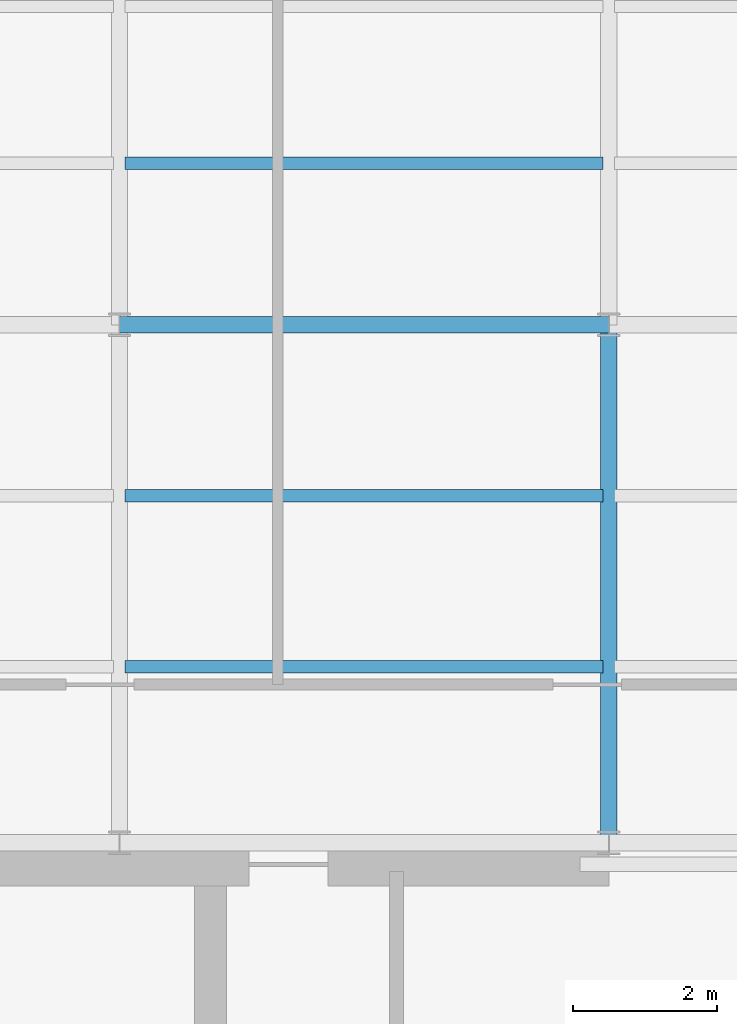
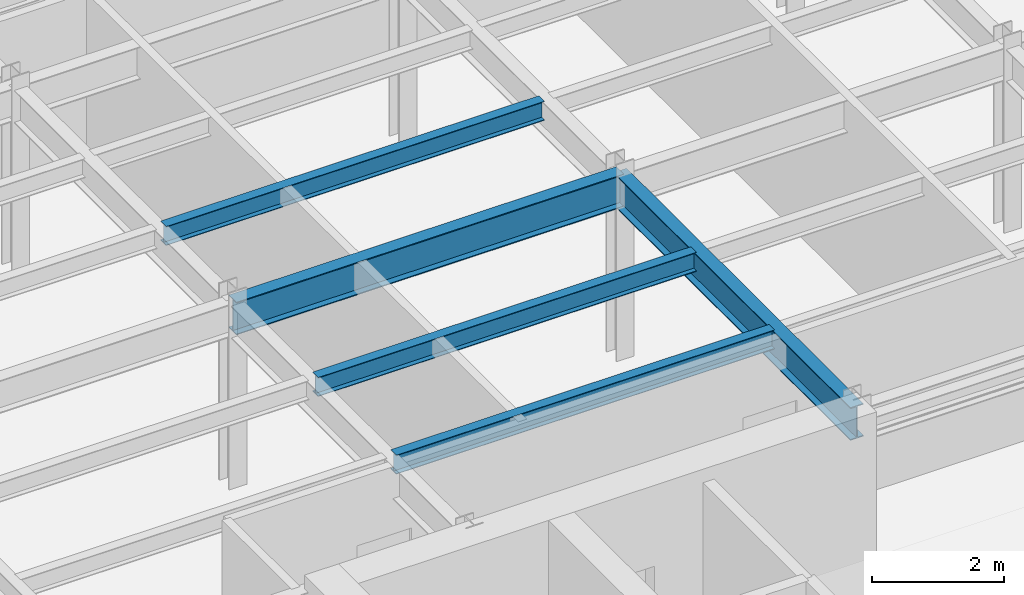
# One storey, part 6 of 22: 5 beams.
"""IFC4 building model written with IfcOpenShell, lengths in metres."""

from ifc_helpers import new_model, si_unit, derived_unit, direction, frame, origin, origin_2d, place, context, subcontext, project, spatial, i_section, extrude, source, transform, mapped, material, material_profile, profile_set, type_object, element, save


model = new_model("IFC4")

# Units and contexts
model_context = context("Model", 3, precision=1e-05, world=origin(), true_north=direction((0.0, 1.0)))
body_context = subcontext(model_context, "Body", "Model", "MODEL_VIEW")
ifc_project = project(units=[si_unit("LENGTHUNIT", "METRE"), si_unit("AREAUNIT", "SQUARE_METRE"), si_unit("VOLUMEUNIT", "CUBIC_METRE"), si_unit("PLANEANGLEUNIT", "RADIAN"), si_unit("MASSUNIT", "GRAM", prefix="KILO"), derived_unit("THERMALTRANSMITTANCEUNIT", [(si_unit("POWERUNIT", "WATT"), 1), (si_unit("LENGTHUNIT", "METRE"), -2), (si_unit("THERMODYNAMICTEMPERATUREUNIT", "KELVIN"), -1)])], contexts=[model_context])

# Site, building, storey
site_placement = place(None, origin())
site = spatial("IfcSite", under=ifc_project, at=site_placement, CompositionType="ELEMENT")
building_placement = place(site_placement, origin())
building = spatial("IfcBuilding", under=site, at=building_placement, Name="Skarnbrae Concourse Arena and Tower", CompositionType="ELEMENT")
storey_placement = place(building_placement, frame((0.0, 0.0, 225.10009765625)))
storey = spatial("IfcBuildingStorey", under=building, at=storey_placement, Name="L58", CompositionType="ELEMENT", Elevation=225.10009765625)

# Beams
ifc_material = material(Name="Steel CSA G40.21 350W", Category="steel")
ifc_material_profile_1 = material_profile(ifc_material, i_section(OverallWidth=0.22802734375, OverallDepth=0.60791015625, WebThickness=0.01123046875, FlangeThickness=0.017333984375, at=origin_2d()), Name="W610X113")
ifc_profile_set_1 = profile_set([ifc_material_profile_1], Name="Steel CSA G40.21 350W")
beam_type_1 = type_object("IfcBeamType", Name="BM-GIRD-W610X113", PredefinedType="BEAM", material=ifc_profile_set_1)
shared_shape_1 = source(origin(), body_context, "Body", "SweptSolid", [
    extrude(i_section(OverallWidth=0.22802734375, OverallDepth=0.60791015625, WebThickness=0.01123046875, FlangeThickness=0.017333984375, at=origin_2d()), origin(), (0.0, 0.0, 1.0), 6.7998046875),
])
beam_1_placement = place(storey_placement, frame((7.60009765625, 21.199951171875, 3.095947265625), z_axis=(1.0, 0.0, 0.0), x_axis=(0.0, 1.0, 0.0)))
element("IfcBeam", 1, at=beam_1_placement, inside=storey, type_object=beam_type_1, Name="L58 Primary E-W girder Y21.2-2", PredefinedType="BEAM", context=body_context, shape_type="MappedRepresentation", body=[
    mapped(shared_shape_1, transform((0.0, 0.0, 0.0))),
])
shared_shape_2 = source(origin(), body_context, "Body", "SweptSolid", [
    extrude(i_section(OverallWidth=0.22802734375, OverallDepth=0.60791015625, WebThickness=0.01123046875, FlangeThickness=0.017333984375, at=origin_2d()), origin(), (0.0, 0.0, 1.0), 7.199951171875),
])
beam_2_placement = place(storey_placement, frame((14.39990234375, 14.0, 3.095947265625), z_axis=(0.0, 1.0, 0.0), x_axis=(-1.0, 0.0, 0.0)))
element("IfcBeam", 2, at=beam_2_placement, inside=storey, type_object=beam_type_1, Name="L58 Primary N-S girder X14.4-1", PredefinedType="BEAM", context=body_context, shape_type="MappedRepresentation", body=[
    mapped(shared_shape_2, transform((0.0, 0.0, 0.0))),
])
ifc_material_profile_2 = material_profile(ifc_material, i_section(OverallWidth=0.1708984375, OverallDepth=0.35498046875, WebThickness=0.007080078125, FlangeThickness=0.01171875, at=origin_2d()), Name="W360X51")
ifc_profile_set_2 = profile_set([ifc_material_profile_2], Name="Steel CSA G40.21 350W")
beam_type_2 = type_object("IfcBeamType", Name="BM-JOIST-W360X51", PredefinedType="JOIST", material=ifc_profile_set_2)
shared_shape_3 = source(origin(), body_context, "Body", "SweptSolid", [
    extrude(i_section(OverallWidth=0.1708984375, OverallDepth=0.35498046875, WebThickness=0.007080078125, FlangeThickness=0.01171875, at=origin_2d()), origin(), (0.0, 0.0, 1.0), 6.64013671875),
])
for number, where, z_axis, x_axis, name in (
    (3, (7.679931640625, 16.447998046875, 3.222412109375), (1.0, 0.0, 0.0), (0.0, 1.0, 0.0), "L58 Secondary floor joist 1.1.2"),
    (4, (7.679931640625, 18.823974609375, 3.222412109375), (1.0, 0.0, 0.0), (0.0, 1.0, 0.0), "L58 Secondary floor joist 1.2.2"),
    (5, (7.679931640625, 23.444091796875, 3.222412109375), (1.0, 0.0, 0.0), (0.0, 1.0, 0.0), "L58 Secondary floor joist 2.1.2"),
):
    element("IfcBeam", number, at=place(storey_placement, frame(where, z_axis=z_axis, x_axis=x_axis)), inside=storey, type_object=beam_type_2, Name=name, PredefinedType="JOIST", context=body_context, shape_type="MappedRepresentation", body=[
        mapped(shared_shape_3, transform((0.0, 0.0, 0.0))),
    ])

save(model, "model.ifc")
